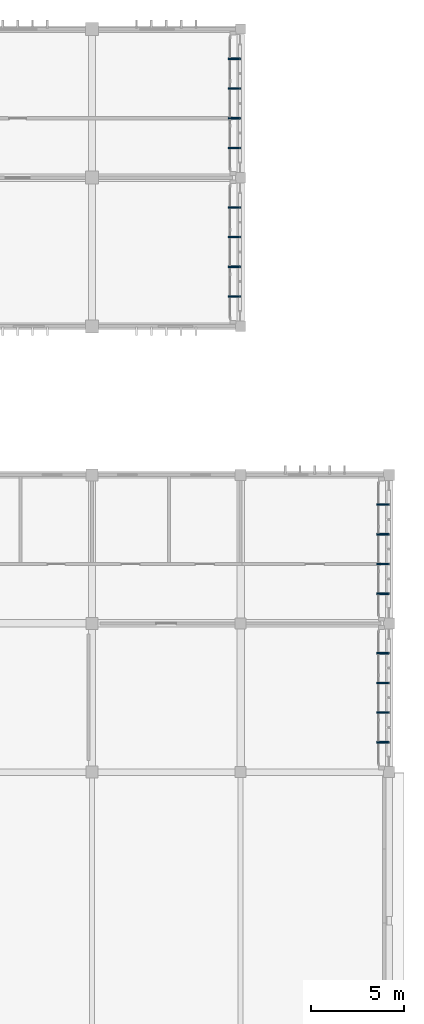
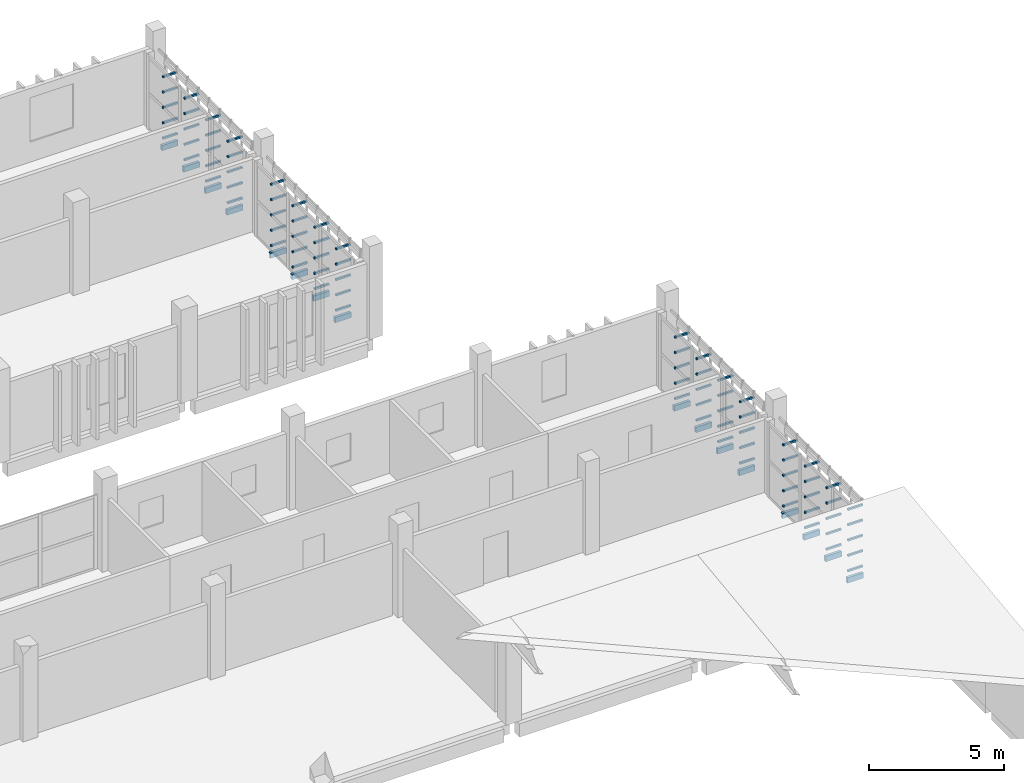
# One storey, part 78 of 83: 96 discrete accessories.
"""IFC4 building model written with IfcOpenShell, lengths in metres."""

from ifc_helpers import new_model, si_unit, direction, frame, origin, origin_2d, place, context, subcontext, project, spatial, rectangle, extrude, material, type_object, element, save


model = new_model("IFC4")

# Units and contexts
model_context = context("Model", 3, precision=1e-05, world=origin(), true_north=direction((0.0, 1.0)))
body_context = subcontext(model_context, "Body", "Model", "MODEL_VIEW")
ifc_project = project(units=[si_unit("LENGTHUNIT", "METRE"), si_unit("AREAUNIT", "SQUARE_METRE"), si_unit("VOLUMEUNIT", "CUBIC_METRE"), si_unit("PLANEANGLEUNIT", "RADIAN"), si_unit("MASSUNIT", "GRAM", prefix="KILO")], contexts=[model_context])

# Site, building, storey
site_placement = place(None, origin())
site = spatial("IfcSite", under=ifc_project, at=site_placement, CompositionType="ELEMENT")
building_placement = place(site_placement, origin())
building = spatial("IfcBuilding", under=site, at=building_placement, Name="Jelvoka-Kovrelna Polytechnic", CompositionType="ELEMENT")
storey_placement = place(building_placement, frame((0.0, 0.0, 13.800048828125)))
storey = spatial("IfcBuildingStorey", under=building, at=storey_placement, Name="L04", CompositionType="ELEMENT", Elevation=13.800048828125)

# Discrete accessories
ifc_material = material(Name="Structural steel S355JR", Category="steel")
discrete_accessory_type = type_object("IfcDiscreteAccessoryType", Name="Bracket_Outrigger_S355", PredefinedType="BRACKET", material=ifc_material)
discrete_accessory_1_placement = place(storey_placement, frame((199.679931640625, 33.60009765625, 0.280029296875), z_axis=(0.0, 0.0, 1.0), x_axis=(1.0, 0.0, 0.0)))
element("IfcDiscreteAccessory", 1, at=discrete_accessory_1_placement, inside=storey, type_object=discrete_accessory_type, Name="L04 screen outrigger tie bracket BRKM-PLT-SCR-0701", PredefinedType="BRACKET", context=body_context, shape_type="SweptSolid", body=[
    extrude(rectangle(XDim=0.639892578125, YDim=0.080078125, at=origin_2d()), origin(), (0.0, 0.0, 1.0), 0.080078125),
])
discrete_accessory_2_placement = place(storey_placement, frame((199.659912109375, 33.60009765625, -0.199951171875), z_axis=(0.0, 0.0, 1.0), x_axis=(1.0, 0.0, 0.0)))
element("IfcDiscreteAccessory", 2, at=discrete_accessory_2_placement, inside=storey, type_object=discrete_accessory_type, Name="L04 screen outrigger tie bracket BRK-PLT-SCR-0701", PredefinedType="BRACKET", context=body_context, shape_type="SweptSolid", body=[
    extrude(rectangle(XDim=0.679931640625, YDim=0.1201171875, at=origin_2d()), origin(), (0.0, 0.0, 1.0), 0.239990234375),
])
for number, where, z_axis, x_axis, name in (
    (3, (199.679931640625, 33.60009765625, 0.972412109375), (0.0, 0.0, 1.0), (1.0, 0.0, 0.0), "L04 screen outrigger tie bracket BRKM-PLT-SCR-0702"),
    (4, (199.679931640625, 33.60009765625, 1.664794921875), (0.0, 0.0, 1.0), (1.0, 0.0, 0.0), "L04 screen outrigger tie bracket BRKM-PLT-SCR-0703"),
    (5, (199.679931640625, 33.60009765625, 2.357421875), (0.0, 0.0, 1.0), (1.0, 0.0, 0.0), "L04 screen outrigger tie bracket BRKM-PLT-SCR-0704"),
    (6, (199.679931640625, 33.60009765625, 3.0498046875), (0.0, 0.0, 1.0), (1.0, 0.0, 0.0), "L04 screen outrigger tie bracket BRKM-PLT-SCR-0705"),
    (7, (199.679931640625, 35.199951171875, 0.280029296875), (0.0, 0.0, 1.0), (1.0, 0.0, 0.0), "L04 screen outrigger tie bracket BRKM-PLT-SCR-0706"),
):
    element("IfcDiscreteAccessory", number, at=place(storey_placement, frame(where, z_axis=z_axis, x_axis=x_axis)), inside=storey, type_object=discrete_accessory_type, Name=name, PredefinedType="BRACKET", context=body_context, shape_type="SweptSolid", body=[
        extrude(rectangle(XDim=0.639892578125, YDim=0.080078125, at=origin_2d()), origin(), (0.0, 0.0, 1.0), 0.080078125),
    ])
discrete_accessory_3_placement = place(storey_placement, frame((199.659912109375, 35.199951171875, -0.199951171875), z_axis=(0.0, 0.0, 1.0), x_axis=(1.0, 0.0, 0.0)))
element("IfcDiscreteAccessory", 8, at=discrete_accessory_3_placement, inside=storey, type_object=discrete_accessory_type, Name="L04 screen outrigger tie bracket BRK-PLT-SCR-0706", PredefinedType="BRACKET", context=body_context, shape_type="SweptSolid", body=[
    extrude(rectangle(XDim=0.679931640625, YDim=0.1201171875, at=origin_2d()), origin(), (0.0, 0.0, 1.0), 0.239990234375),
])
for number, where, z_axis, x_axis, name in (
    (9, (199.679931640625, 35.199951171875, 0.972412109375), (0.0, 0.0, 1.0), (1.0, 0.0, 0.0), "L04 screen outrigger tie bracket BRKM-PLT-SCR-0707"),
    (10, (199.679931640625, 35.199951171875, 1.664794921875), (0.0, 0.0, 1.0), (1.0, 0.0, 0.0), "L04 screen outrigger tie bracket BRKM-PLT-SCR-0708"),
    (11, (199.679931640625, 35.199951171875, 2.357421875), (0.0, 0.0, 1.0), (1.0, 0.0, 0.0), "L04 screen outrigger tie bracket BRKM-PLT-SCR-0709"),
    (12, (199.679931640625, 35.199951171875, 3.0498046875), (0.0, 0.0, 1.0), (1.0, 0.0, 0.0), "L04 screen outrigger tie bracket BRKM-PLT-SCR-0710"),
    (13, (199.679931640625, 36.800048828125, 0.280029296875), (0.0, 0.0, 1.0), (1.0, 0.0, 0.0), "L04 screen outrigger tie bracket BRKM-PLT-SCR-0711"),
):
    element("IfcDiscreteAccessory", number, at=place(storey_placement, frame(where, z_axis=z_axis, x_axis=x_axis)), inside=storey, type_object=discrete_accessory_type, Name=name, PredefinedType="BRACKET", context=body_context, shape_type="SweptSolid", body=[
        extrude(rectangle(XDim=0.639892578125, YDim=0.080078125, at=origin_2d()), origin(), (0.0, 0.0, 1.0), 0.080078125),
    ])
discrete_accessory_4_placement = place(storey_placement, frame((199.659912109375, 36.800048828125, -0.199951171875), z_axis=(0.0, 0.0, 1.0), x_axis=(1.0, 0.0, 0.0)))
element("IfcDiscreteAccessory", 14, at=discrete_accessory_4_placement, inside=storey, type_object=discrete_accessory_type, Name="L04 screen outrigger tie bracket BRK-PLT-SCR-0711", PredefinedType="BRACKET", context=body_context, shape_type="SweptSolid", body=[
    extrude(rectangle(XDim=0.679931640625, YDim=0.1201171875, at=origin_2d()), origin(), (0.0, 0.0, 1.0), 0.239990234375),
])
for number, where, z_axis, x_axis, name in (
    (15, (199.679931640625, 36.800048828125, 0.972412109375), (0.0, 0.0, 1.0), (1.0, 0.0, 0.0), "L04 screen outrigger tie bracket BRKM-PLT-SCR-0712"),
    (16, (199.679931640625, 36.800048828125, 1.664794921875), (0.0, 0.0, 1.0), (1.0, 0.0, 0.0), "L04 screen outrigger tie bracket BRKM-PLT-SCR-0713"),
    (17, (199.679931640625, 36.800048828125, 2.357421875), (0.0, 0.0, 1.0), (1.0, 0.0, 0.0), "L04 screen outrigger tie bracket BRKM-PLT-SCR-0714"),
    (18, (199.679931640625, 36.800048828125, 3.0498046875), (0.0, 0.0, 1.0), (1.0, 0.0, 0.0), "L04 screen outrigger tie bracket BRKM-PLT-SCR-0715"),
    (19, (199.679931640625, 38.39990234375, 0.280029296875), (0.0, 0.0, 1.0), (1.0, 0.0, 0.0), "L04 screen outrigger tie bracket BRKM-PLT-SCR-0716"),
):
    element("IfcDiscreteAccessory", number, at=place(storey_placement, frame(where, z_axis=z_axis, x_axis=x_axis)), inside=storey, type_object=discrete_accessory_type, Name=name, PredefinedType="BRACKET", context=body_context, shape_type="SweptSolid", body=[
        extrude(rectangle(XDim=0.639892578125, YDim=0.080078125, at=origin_2d()), origin(), (0.0, 0.0, 1.0), 0.080078125),
    ])
discrete_accessory_5_placement = place(storey_placement, frame((199.659912109375, 38.39990234375, -0.199951171875), z_axis=(0.0, 0.0, 1.0), x_axis=(1.0, 0.0, 0.0)))
element("IfcDiscreteAccessory", 20, at=discrete_accessory_5_placement, inside=storey, type_object=discrete_accessory_type, Name="L04 screen outrigger tie bracket BRK-PLT-SCR-0716", PredefinedType="BRACKET", context=body_context, shape_type="SweptSolid", body=[
    extrude(rectangle(XDim=0.679931640625, YDim=0.1201171875, at=origin_2d()), origin(), (0.0, 0.0, 1.0), 0.239990234375),
])
for number, where, z_axis, x_axis, name in (
    (21, (199.679931640625, 38.39990234375, 0.972412109375), (0.0, 0.0, 1.0), (1.0, 0.0, 0.0), "L04 screen outrigger tie bracket BRKM-PLT-SCR-0717"),
    (22, (199.679931640625, 38.39990234375, 1.664794921875), (0.0, 0.0, 1.0), (1.0, 0.0, 0.0), "L04 screen outrigger tie bracket BRKM-PLT-SCR-0718"),
    (23, (199.679931640625, 38.39990234375, 2.357421875), (0.0, 0.0, 1.0), (1.0, 0.0, 0.0), "L04 screen outrigger tie bracket BRKM-PLT-SCR-0719"),
    (24, (199.679931640625, 38.39990234375, 3.0498046875), (0.0, 0.0, 1.0), (1.0, 0.0, 0.0), "L04 screen outrigger tie bracket BRKM-PLT-SCR-0720"),
    (25, (199.679931640625, 41.60009765625, 0.280029296875), (0.0, 0.0, 1.0), (1.0, 0.0, 0.0), "L04 screen outrigger tie bracket BRKM-PLT-SCR-0721"),
):
    element("IfcDiscreteAccessory", number, at=place(storey_placement, frame(where, z_axis=z_axis, x_axis=x_axis)), inside=storey, type_object=discrete_accessory_type, Name=name, PredefinedType="BRACKET", context=body_context, shape_type="SweptSolid", body=[
        extrude(rectangle(XDim=0.639892578125, YDim=0.080078125, at=origin_2d()), origin(), (0.0, 0.0, 1.0), 0.080078125),
    ])
discrete_accessory_6_placement = place(storey_placement, frame((199.659912109375, 41.60009765625, -0.199951171875), z_axis=(0.0, 0.0, 1.0), x_axis=(1.0, 0.0, 0.0)))
element("IfcDiscreteAccessory", 26, at=discrete_accessory_6_placement, inside=storey, type_object=discrete_accessory_type, Name="L04 screen outrigger tie bracket BRK-PLT-SCR-0721", PredefinedType="BRACKET", context=body_context, shape_type="SweptSolid", body=[
    extrude(rectangle(XDim=0.679931640625, YDim=0.1201171875, at=origin_2d()), origin(), (0.0, 0.0, 1.0), 0.239990234375),
])
for number, where, z_axis, x_axis, name in (
    (27, (199.679931640625, 41.60009765625, 0.972412109375), (0.0, 0.0, 1.0), (1.0, 0.0, 0.0), "L04 screen outrigger tie bracket BRKM-PLT-SCR-0722"),
    (28, (199.679931640625, 41.60009765625, 1.664794921875), (0.0, 0.0, 1.0), (1.0, 0.0, 0.0), "L04 screen outrigger tie bracket BRKM-PLT-SCR-0723"),
    (29, (199.679931640625, 41.60009765625, 2.357421875), (0.0, 0.0, 1.0), (1.0, 0.0, 0.0), "L04 screen outrigger tie bracket BRKM-PLT-SCR-0724"),
    (30, (199.679931640625, 41.60009765625, 3.0498046875), (0.0, 0.0, 1.0), (1.0, 0.0, 0.0), "L04 screen outrigger tie bracket BRKM-PLT-SCR-0725"),
    (31, (199.679931640625, 43.199951171875, 0.280029296875), (0.0, 0.0, 1.0), (1.0, 0.0, 0.0), "L04 screen outrigger tie bracket BRKM-PLT-SCR-0726"),
):
    element("IfcDiscreteAccessory", number, at=place(storey_placement, frame(where, z_axis=z_axis, x_axis=x_axis)), inside=storey, type_object=discrete_accessory_type, Name=name, PredefinedType="BRACKET", context=body_context, shape_type="SweptSolid", body=[
        extrude(rectangle(XDim=0.639892578125, YDim=0.080078125, at=origin_2d()), origin(), (0.0, 0.0, 1.0), 0.080078125),
    ])
discrete_accessory_7_placement = place(storey_placement, frame((199.659912109375, 43.199951171875, -0.199951171875), z_axis=(0.0, 0.0, 1.0), x_axis=(1.0, 0.0, 0.0)))
element("IfcDiscreteAccessory", 32, at=discrete_accessory_7_placement, inside=storey, type_object=discrete_accessory_type, Name="L04 screen outrigger tie bracket BRK-PLT-SCR-0726", PredefinedType="BRACKET", context=body_context, shape_type="SweptSolid", body=[
    extrude(rectangle(XDim=0.679931640625, YDim=0.1201171875, at=origin_2d()), origin(), (0.0, 0.0, 1.0), 0.239990234375),
])
for number, where, z_axis, x_axis, name in (
    (33, (199.679931640625, 43.199951171875, 0.972412109375), (0.0, 0.0, 1.0), (1.0, 0.0, 0.0), "L04 screen outrigger tie bracket BRKM-PLT-SCR-0727"),
    (34, (199.679931640625, 43.199951171875, 1.664794921875), (0.0, 0.0, 1.0), (1.0, 0.0, 0.0), "L04 screen outrigger tie bracket BRKM-PLT-SCR-0728"),
    (35, (199.679931640625, 43.199951171875, 2.357421875), (0.0, 0.0, 1.0), (1.0, 0.0, 0.0), "L04 screen outrigger tie bracket BRKM-PLT-SCR-0729"),
    (36, (199.679931640625, 43.199951171875, 3.0498046875), (0.0, 0.0, 1.0), (1.0, 0.0, 0.0), "L04 screen outrigger tie bracket BRKM-PLT-SCR-0730"),
    (37, (199.679931640625, 44.800048828125, 0.280029296875), (0.0, 0.0, 1.0), (1.0, 0.0, 0.0), "L04 screen outrigger tie bracket BRKM-PLT-SCR-0731"),
):
    element("IfcDiscreteAccessory", number, at=place(storey_placement, frame(where, z_axis=z_axis, x_axis=x_axis)), inside=storey, type_object=discrete_accessory_type, Name=name, PredefinedType="BRACKET", context=body_context, shape_type="SweptSolid", body=[
        extrude(rectangle(XDim=0.639892578125, YDim=0.080078125, at=origin_2d()), origin(), (0.0, 0.0, 1.0), 0.080078125),
    ])
discrete_accessory_8_placement = place(storey_placement, frame((199.659912109375, 44.800048828125, -0.199951171875), z_axis=(0.0, 0.0, 1.0), x_axis=(1.0, 0.0, 0.0)))
element("IfcDiscreteAccessory", 38, at=discrete_accessory_8_placement, inside=storey, type_object=discrete_accessory_type, Name="L04 screen outrigger tie bracket BRK-PLT-SCR-0731", PredefinedType="BRACKET", context=body_context, shape_type="SweptSolid", body=[
    extrude(rectangle(XDim=0.679931640625, YDim=0.1201171875, at=origin_2d()), origin(), (0.0, 0.0, 1.0), 0.239990234375),
])
for number, where, z_axis, x_axis, name in (
    (39, (199.679931640625, 44.800048828125, 0.972412109375), (0.0, 0.0, 1.0), (1.0, 0.0, 0.0), "L04 screen outrigger tie bracket BRKM-PLT-SCR-0732"),
    (40, (199.679931640625, 44.800048828125, 1.664794921875), (0.0, 0.0, 1.0), (1.0, 0.0, 0.0), "L04 screen outrigger tie bracket BRKM-PLT-SCR-0733"),
    (41, (199.679931640625, 44.800048828125, 2.357421875), (0.0, 0.0, 1.0), (1.0, 0.0, 0.0), "L04 screen outrigger tie bracket BRKM-PLT-SCR-0734"),
    (42, (199.679931640625, 44.800048828125, 3.0498046875), (0.0, 0.0, 1.0), (1.0, 0.0, 0.0), "L04 screen outrigger tie bracket BRKM-PLT-SCR-0735"),
    (43, (199.679931640625, 46.39990234375, 0.280029296875), (0.0, 0.0, 1.0), (1.0, 0.0, 0.0), "L04 screen outrigger tie bracket BRKM-PLT-SCR-0736"),
):
    element("IfcDiscreteAccessory", number, at=place(storey_placement, frame(where, z_axis=z_axis, x_axis=x_axis)), inside=storey, type_object=discrete_accessory_type, Name=name, PredefinedType="BRACKET", context=body_context, shape_type="SweptSolid", body=[
        extrude(rectangle(XDim=0.639892578125, YDim=0.080078125, at=origin_2d()), origin(), (0.0, 0.0, 1.0), 0.080078125),
    ])
discrete_accessory_9_placement = place(storey_placement, frame((199.659912109375, 46.39990234375, -0.199951171875), z_axis=(0.0, 0.0, 1.0), x_axis=(1.0, 0.0, 0.0)))
element("IfcDiscreteAccessory", 44, at=discrete_accessory_9_placement, inside=storey, type_object=discrete_accessory_type, Name="L04 screen outrigger tie bracket BRK-PLT-SCR-0736", PredefinedType="BRACKET", context=body_context, shape_type="SweptSolid", body=[
    extrude(rectangle(XDim=0.679931640625, YDim=0.1201171875, at=origin_2d()), origin(), (0.0, 0.0, 1.0), 0.239990234375),
])
for number, where, z_axis, x_axis, name in (
    (45, (199.679931640625, 46.39990234375, 0.972412109375), (0.0, 0.0, 1.0), (1.0, 0.0, 0.0), "L04 screen outrigger tie bracket BRKM-PLT-SCR-0737"),
    (46, (199.679931640625, 46.39990234375, 1.664794921875), (0.0, 0.0, 1.0), (1.0, 0.0, 0.0), "L04 screen outrigger tie bracket BRKM-PLT-SCR-0738"),
    (47, (199.679931640625, 46.39990234375, 2.357421875), (0.0, 0.0, 1.0), (1.0, 0.0, 0.0), "L04 screen outrigger tie bracket BRKM-PLT-SCR-0739"),
    (48, (199.679931640625, 46.39990234375, 3.0498046875), (0.0, 0.0, 1.0), (1.0, 0.0, 0.0), "L04 screen outrigger tie bracket BRKM-PLT-SCR-0740"),
    (49, (191.679931640625, 57.60009765625, 0.280029296875), (0.0, 0.0, 1.0), (1.0, 0.0, 0.0), "L04 screen outrigger tie bracket BRKM-PLT-SCR-1081"),
):
    element("IfcDiscreteAccessory", number, at=place(storey_placement, frame(where, z_axis=z_axis, x_axis=x_axis)), inside=storey, type_object=discrete_accessory_type, Name=name, PredefinedType="BRACKET", context=body_context, shape_type="SweptSolid", body=[
        extrude(rectangle(XDim=0.639892578125, YDim=0.080078125, at=origin_2d()), origin(), (0.0, 0.0, 1.0), 0.080078125),
    ])
discrete_accessory_10_placement = place(storey_placement, frame((191.659912109375, 57.60009765625, -0.199951171875), z_axis=(0.0, 0.0, 1.0), x_axis=(1.0, 0.0, 0.0)))
element("IfcDiscreteAccessory", 50, at=discrete_accessory_10_placement, inside=storey, type_object=discrete_accessory_type, Name="L04 screen outrigger tie bracket BRK-PLT-SCR-1081", PredefinedType="BRACKET", context=body_context, shape_type="SweptSolid", body=[
    extrude(rectangle(XDim=0.679931640625, YDim=0.1201171875, at=origin_2d()), origin(), (0.0, 0.0, 1.0), 0.239990234375),
])
for number, where, z_axis, x_axis, name in (
    (51, (191.679931640625, 57.60009765625, 0.972412109375), (0.0, 0.0, 1.0), (1.0, 0.0, 0.0), "L04 screen outrigger tie bracket BRKM-PLT-SCR-1082"),
    (52, (191.679931640625, 57.60009765625, 1.664794921875), (0.0, 0.0, 1.0), (1.0, 0.0, 0.0), "L04 screen outrigger tie bracket BRKM-PLT-SCR-1083"),
    (53, (191.679931640625, 57.60009765625, 2.357421875), (0.0, 0.0, 1.0), (1.0, 0.0, 0.0), "L04 screen outrigger tie bracket BRKM-PLT-SCR-1084"),
    (54, (191.679931640625, 57.60009765625, 3.0498046875), (0.0, 0.0, 1.0), (1.0, 0.0, 0.0), "L04 screen outrigger tie bracket BRKM-PLT-SCR-1085"),
    (55, (191.679931640625, 59.199951171875, 0.280029296875), (0.0, 0.0, 1.0), (1.0, 0.0, 0.0), "L04 screen outrigger tie bracket BRKM-PLT-SCR-1086"),
):
    element("IfcDiscreteAccessory", number, at=place(storey_placement, frame(where, z_axis=z_axis, x_axis=x_axis)), inside=storey, type_object=discrete_accessory_type, Name=name, PredefinedType="BRACKET", context=body_context, shape_type="SweptSolid", body=[
        extrude(rectangle(XDim=0.639892578125, YDim=0.080078125, at=origin_2d()), origin(), (0.0, 0.0, 1.0), 0.080078125),
    ])
discrete_accessory_11_placement = place(storey_placement, frame((191.659912109375, 59.199951171875, -0.199951171875), z_axis=(0.0, 0.0, 1.0), x_axis=(1.0, 0.0, 0.0)))
element("IfcDiscreteAccessory", 56, at=discrete_accessory_11_placement, inside=storey, type_object=discrete_accessory_type, Name="L04 screen outrigger tie bracket BRK-PLT-SCR-1086", PredefinedType="BRACKET", context=body_context, shape_type="SweptSolid", body=[
    extrude(rectangle(XDim=0.679931640625, YDim=0.1201171875, at=origin_2d()), origin(), (0.0, 0.0, 1.0), 0.239990234375),
])
for number, where, z_axis, x_axis, name in (
    (57, (191.679931640625, 59.199951171875, 0.972412109375), (0.0, 0.0, 1.0), (1.0, 0.0, 0.0), "L04 screen outrigger tie bracket BRKM-PLT-SCR-1087"),
    (58, (191.679931640625, 59.199951171875, 1.664794921875), (0.0, 0.0, 1.0), (1.0, 0.0, 0.0), "L04 screen outrigger tie bracket BRKM-PLT-SCR-1088"),
    (59, (191.679931640625, 59.199951171875, 2.357421875), (0.0, 0.0, 1.0), (1.0, 0.0, 0.0), "L04 screen outrigger tie bracket BRKM-PLT-SCR-1089"),
    (60, (191.679931640625, 59.199951171875, 3.0498046875), (0.0, 0.0, 1.0), (1.0, 0.0, 0.0), "L04 screen outrigger tie bracket BRKM-PLT-SCR-1090"),
    (61, (191.679931640625, 60.800048828125, 0.280029296875), (0.0, 0.0, 1.0), (1.0, 0.0, 0.0), "L04 screen outrigger tie bracket BRKM-PLT-SCR-1091"),
):
    element("IfcDiscreteAccessory", number, at=place(storey_placement, frame(where, z_axis=z_axis, x_axis=x_axis)), inside=storey, type_object=discrete_accessory_type, Name=name, PredefinedType="BRACKET", context=body_context, shape_type="SweptSolid", body=[
        extrude(rectangle(XDim=0.639892578125, YDim=0.080078125, at=origin_2d()), origin(), (0.0, 0.0, 1.0), 0.080078125),
    ])
discrete_accessory_12_placement = place(storey_placement, frame((191.659912109375, 60.800048828125, -0.199951171875), z_axis=(0.0, 0.0, 1.0), x_axis=(1.0, 0.0, 0.0)))
element("IfcDiscreteAccessory", 62, at=discrete_accessory_12_placement, inside=storey, type_object=discrete_accessory_type, Name="L04 screen outrigger tie bracket BRK-PLT-SCR-1091", PredefinedType="BRACKET", context=body_context, shape_type="SweptSolid", body=[
    extrude(rectangle(XDim=0.679931640625, YDim=0.1201171875, at=origin_2d()), origin(), (0.0, 0.0, 1.0), 0.239990234375),
])
for number, where, z_axis, x_axis, name in (
    (63, (191.679931640625, 60.800048828125, 0.972412109375), (0.0, 0.0, 1.0), (1.0, 0.0, 0.0), "L04 screen outrigger tie bracket BRKM-PLT-SCR-1092"),
    (64, (191.679931640625, 60.800048828125, 1.664794921875), (0.0, 0.0, 1.0), (1.0, 0.0, 0.0), "L04 screen outrigger tie bracket BRKM-PLT-SCR-1093"),
    (65, (191.679931640625, 60.800048828125, 2.357421875), (0.0, 0.0, 1.0), (1.0, 0.0, 0.0), "L04 screen outrigger tie bracket BRKM-PLT-SCR-1094"),
    (66, (191.679931640625, 60.800048828125, 3.0498046875), (0.0, 0.0, 1.0), (1.0, 0.0, 0.0), "L04 screen outrigger tie bracket BRKM-PLT-SCR-1095"),
    (67, (191.679931640625, 62.39990234375, 0.280029296875), (0.0, 0.0, 1.0), (1.0, 0.0, 0.0), "L04 screen outrigger tie bracket BRKM-PLT-SCR-1096"),
):
    element("IfcDiscreteAccessory", number, at=place(storey_placement, frame(where, z_axis=z_axis, x_axis=x_axis)), inside=storey, type_object=discrete_accessory_type, Name=name, PredefinedType="BRACKET", context=body_context, shape_type="SweptSolid", body=[
        extrude(rectangle(XDim=0.639892578125, YDim=0.080078125, at=origin_2d()), origin(), (0.0, 0.0, 1.0), 0.080078125),
    ])
discrete_accessory_13_placement = place(storey_placement, frame((191.659912109375, 62.39990234375, -0.199951171875), z_axis=(0.0, 0.0, 1.0), x_axis=(1.0, 0.0, 0.0)))
element("IfcDiscreteAccessory", 68, at=discrete_accessory_13_placement, inside=storey, type_object=discrete_accessory_type, Name="L04 screen outrigger tie bracket BRK-PLT-SCR-1096", PredefinedType="BRACKET", context=body_context, shape_type="SweptSolid", body=[
    extrude(rectangle(XDim=0.679931640625, YDim=0.1201171875, at=origin_2d()), origin(), (0.0, 0.0, 1.0), 0.239990234375),
])
for number, where, z_axis, x_axis, name in (
    (69, (191.679931640625, 62.39990234375, 0.972412109375), (0.0, 0.0, 1.0), (1.0, 0.0, 0.0), "L04 screen outrigger tie bracket BRKM-PLT-SCR-1097"),
    (70, (191.679931640625, 62.39990234375, 1.664794921875), (0.0, 0.0, 1.0), (1.0, 0.0, 0.0), "L04 screen outrigger tie bracket BRKM-PLT-SCR-1098"),
    (71, (191.679931640625, 62.39990234375, 2.357421875), (0.0, 0.0, 1.0), (1.0, 0.0, 0.0), "L04 screen outrigger tie bracket BRKM-PLT-SCR-1099"),
    (72, (191.679931640625, 62.39990234375, 3.0498046875), (0.0, 0.0, 1.0), (1.0, 0.0, 0.0), "L04 screen outrigger tie bracket BRKM-PLT-SCR-1100"),
    (73, (191.679931640625, 65.60009765625, 0.280029296875), (0.0, 0.0, 1.0), (1.0, 0.0, 0.0), "L04 screen outrigger tie bracket BRKM-PLT-SCR-1101"),
):
    element("IfcDiscreteAccessory", number, at=place(storey_placement, frame(where, z_axis=z_axis, x_axis=x_axis)), inside=storey, type_object=discrete_accessory_type, Name=name, PredefinedType="BRACKET", context=body_context, shape_type="SweptSolid", body=[
        extrude(rectangle(XDim=0.639892578125, YDim=0.080078125, at=origin_2d()), origin(), (0.0, 0.0, 1.0), 0.080078125),
    ])
discrete_accessory_14_placement = place(storey_placement, frame((191.659912109375, 65.60009765625, -0.199951171875), z_axis=(0.0, 0.0, 1.0), x_axis=(1.0, 0.0, 0.0)))
element("IfcDiscreteAccessory", 74, at=discrete_accessory_14_placement, inside=storey, type_object=discrete_accessory_type, Name="L04 screen outrigger tie bracket BRK-PLT-SCR-1101", PredefinedType="BRACKET", context=body_context, shape_type="SweptSolid", body=[
    extrude(rectangle(XDim=0.679931640625, YDim=0.1201171875, at=origin_2d()), origin(), (0.0, 0.0, 1.0), 0.239990234375),
])
for number, where, z_axis, x_axis, name in (
    (75, (191.679931640625, 65.60009765625, 0.972412109375), (0.0, 0.0, 1.0), (1.0, 0.0, 0.0), "L04 screen outrigger tie bracket BRKM-PLT-SCR-1102"),
    (76, (191.679931640625, 65.60009765625, 1.664794921875), (0.0, 0.0, 1.0), (1.0, 0.0, 0.0), "L04 screen outrigger tie bracket BRKM-PLT-SCR-1103"),
    (77, (191.679931640625, 65.60009765625, 2.357421875), (0.0, 0.0, 1.0), (1.0, 0.0, 0.0), "L04 screen outrigger tie bracket BRKM-PLT-SCR-1104"),
    (78, (191.679931640625, 65.60009765625, 3.0498046875), (0.0, 0.0, 1.0), (1.0, 0.0, 0.0), "L04 screen outrigger tie bracket BRKM-PLT-SCR-1105"),
    (79, (191.679931640625, 67.199951171875, 0.280029296875), (0.0, 0.0, 1.0), (1.0, 0.0, 0.0), "L04 screen outrigger tie bracket BRKM-PLT-SCR-1106"),
):
    element("IfcDiscreteAccessory", number, at=place(storey_placement, frame(where, z_axis=z_axis, x_axis=x_axis)), inside=storey, type_object=discrete_accessory_type, Name=name, PredefinedType="BRACKET", context=body_context, shape_type="SweptSolid", body=[
        extrude(rectangle(XDim=0.639892578125, YDim=0.080078125, at=origin_2d()), origin(), (0.0, 0.0, 1.0), 0.080078125),
    ])
discrete_accessory_15_placement = place(storey_placement, frame((191.659912109375, 67.199951171875, -0.199951171875), z_axis=(0.0, 0.0, 1.0), x_axis=(1.0, 0.0, 0.0)))
element("IfcDiscreteAccessory", 80, at=discrete_accessory_15_placement, inside=storey, type_object=discrete_accessory_type, Name="L04 screen outrigger tie bracket BRK-PLT-SCR-1106", PredefinedType="BRACKET", context=body_context, shape_type="SweptSolid", body=[
    extrude(rectangle(XDim=0.679931640625, YDim=0.1201171875, at=origin_2d()), origin(), (0.0, 0.0, 1.0), 0.239990234375),
])
for number, where, z_axis, x_axis, name in (
    (81, (191.679931640625, 67.199951171875, 0.972412109375), (0.0, 0.0, 1.0), (1.0, 0.0, 0.0), "L04 screen outrigger tie bracket BRKM-PLT-SCR-1107"),
    (82, (191.679931640625, 67.199951171875, 1.664794921875), (0.0, 0.0, 1.0), (1.0, 0.0, 0.0), "L04 screen outrigger tie bracket BRKM-PLT-SCR-1108"),
    (83, (191.679931640625, 67.199951171875, 2.357421875), (0.0, 0.0, 1.0), (1.0, 0.0, 0.0), "L04 screen outrigger tie bracket BRKM-PLT-SCR-1109"),
    (84, (191.679931640625, 67.199951171875, 3.0498046875), (0.0, 0.0, 1.0), (1.0, 0.0, 0.0), "L04 screen outrigger tie bracket BRKM-PLT-SCR-1110"),
    (85, (191.679931640625, 68.800048828125, 0.280029296875), (0.0, 0.0, 1.0), (1.0, 0.0, 0.0), "L04 screen outrigger tie bracket BRKM-PLT-SCR-1111"),
):
    element("IfcDiscreteAccessory", number, at=place(storey_placement, frame(where, z_axis=z_axis, x_axis=x_axis)), inside=storey, type_object=discrete_accessory_type, Name=name, PredefinedType="BRACKET", context=body_context, shape_type="SweptSolid", body=[
        extrude(rectangle(XDim=0.639892578125, YDim=0.080078125, at=origin_2d()), origin(), (0.0, 0.0, 1.0), 0.080078125),
    ])
discrete_accessory_16_placement = place(storey_placement, frame((191.659912109375, 68.800048828125, -0.199951171875), z_axis=(0.0, 0.0, 1.0), x_axis=(1.0, 0.0, 0.0)))
element("IfcDiscreteAccessory", 86, at=discrete_accessory_16_placement, inside=storey, type_object=discrete_accessory_type, Name="L04 screen outrigger tie bracket BRK-PLT-SCR-1111", PredefinedType="BRACKET", context=body_context, shape_type="SweptSolid", body=[
    extrude(rectangle(XDim=0.679931640625, YDim=0.1201171875, at=origin_2d()), origin(), (0.0, 0.0, 1.0), 0.239990234375),
])
for number, where, z_axis, x_axis, name in (
    (87, (191.679931640625, 68.800048828125, 0.972412109375), (0.0, 0.0, 1.0), (1.0, 0.0, 0.0), "L04 screen outrigger tie bracket BRKM-PLT-SCR-1112"),
    (88, (191.679931640625, 68.800048828125, 1.664794921875), (0.0, 0.0, 1.0), (1.0, 0.0, 0.0), "L04 screen outrigger tie bracket BRKM-PLT-SCR-1113"),
    (89, (191.679931640625, 68.800048828125, 2.357421875), (0.0, 0.0, 1.0), (1.0, 0.0, 0.0), "L04 screen outrigger tie bracket BRKM-PLT-SCR-1114"),
    (90, (191.679931640625, 68.800048828125, 3.0498046875), (0.0, 0.0, 1.0), (1.0, 0.0, 0.0), "L04 screen outrigger tie bracket BRKM-PLT-SCR-1115"),
    (91, (191.679931640625, 70.39990234375, 0.280029296875), (0.0, 0.0, 1.0), (1.0, 0.0, 0.0), "L04 screen outrigger tie bracket BRKM-PLT-SCR-1116"),
):
    element("IfcDiscreteAccessory", number, at=place(storey_placement, frame(where, z_axis=z_axis, x_axis=x_axis)), inside=storey, type_object=discrete_accessory_type, Name=name, PredefinedType="BRACKET", context=body_context, shape_type="SweptSolid", body=[
        extrude(rectangle(XDim=0.639892578125, YDim=0.080078125, at=origin_2d()), origin(), (0.0, 0.0, 1.0), 0.080078125),
    ])
discrete_accessory_17_placement = place(storey_placement, frame((191.659912109375, 70.39990234375, -0.199951171875), z_axis=(0.0, 0.0, 1.0), x_axis=(1.0, 0.0, 0.0)))
element("IfcDiscreteAccessory", 92, at=discrete_accessory_17_placement, inside=storey, type_object=discrete_accessory_type, Name="L04 screen outrigger tie bracket BRK-PLT-SCR-1116", PredefinedType="BRACKET", context=body_context, shape_type="SweptSolid", body=[
    extrude(rectangle(XDim=0.679931640625, YDim=0.1201171875, at=origin_2d()), origin(), (0.0, 0.0, 1.0), 0.239990234375),
])
for number, where, z_axis, x_axis, name in (
    (93, (191.679931640625, 70.39990234375, 0.972412109375), (0.0, 0.0, 1.0), (1.0, 0.0, 0.0), "L04 screen outrigger tie bracket BRKM-PLT-SCR-1117"),
    (94, (191.679931640625, 70.39990234375, 1.664794921875), (0.0, 0.0, 1.0), (1.0, 0.0, 0.0), "L04 screen outrigger tie bracket BRKM-PLT-SCR-1118"),
    (95, (191.679931640625, 70.39990234375, 2.357421875), (0.0, 0.0, 1.0), (1.0, 0.0, 0.0), "L04 screen outrigger tie bracket BRKM-PLT-SCR-1119"),
    (96, (191.679931640625, 70.39990234375, 3.0498046875), (0.0, 0.0, 1.0), (1.0, 0.0, 0.0), "L04 screen outrigger tie bracket BRKM-PLT-SCR-1120"),
):
    element("IfcDiscreteAccessory", number, at=place(storey_placement, frame(where, z_axis=z_axis, x_axis=x_axis)), inside=storey, type_object=discrete_accessory_type, Name=name, PredefinedType="BRACKET", context=body_context, shape_type="SweptSolid", body=[
        extrude(rectangle(XDim=0.639892578125, YDim=0.080078125, at=origin_2d()), origin(), (0.0, 0.0, 1.0), 0.080078125),
    ])

save(model, "model.ifc")
